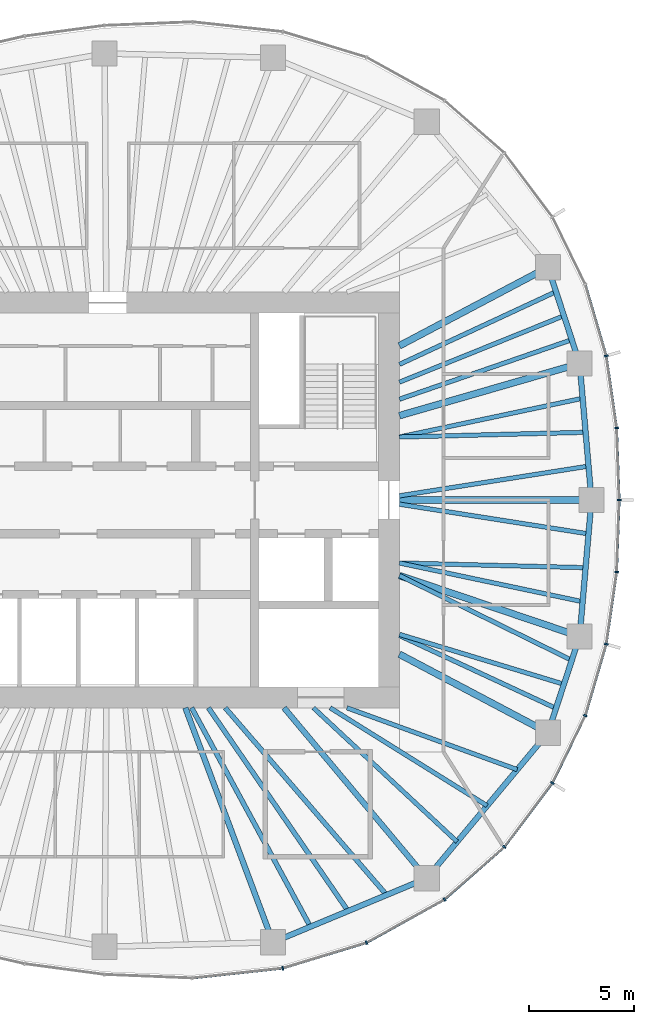
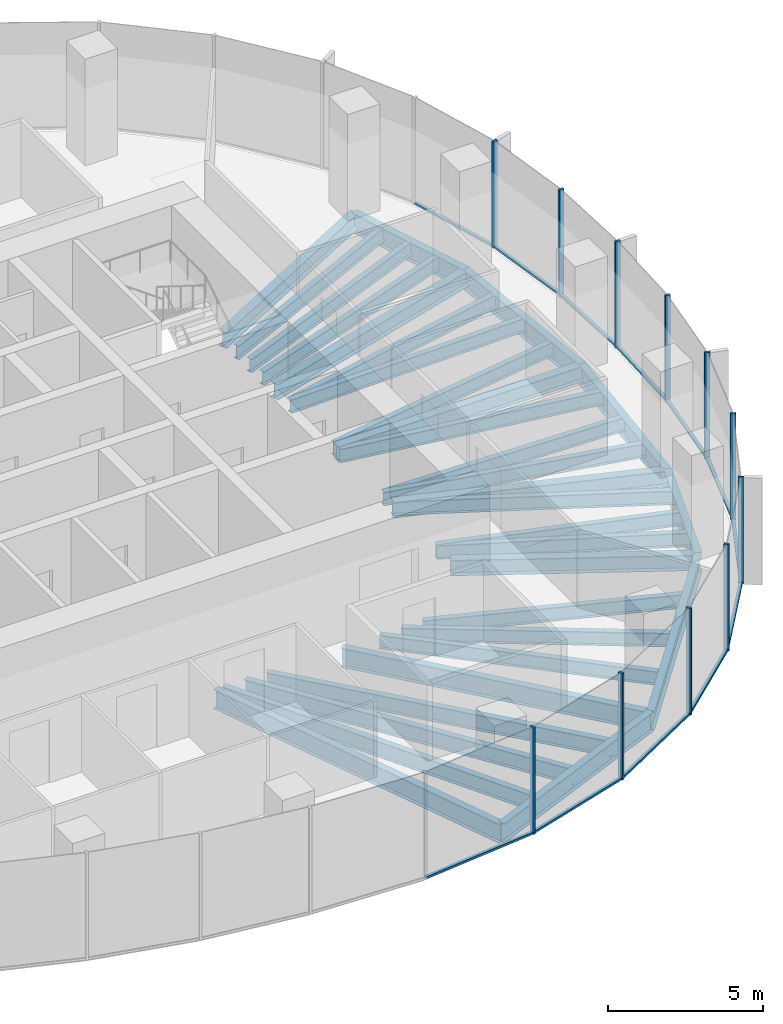
# One storey, part 4 of 11: 31 beams, 23 members, 7 elements without a shape of their own.
"""IFC4 building model written with IfcOpenShell, lengths in metres."""

from ifc_helpers import new_model, si_unit, direction, frame, origin, origin_2d, place, context, subcontext, project, spatial, rectangle, i_section, extrude, material, material_profile, profile_set, type_object, element, aggregate, save


model = new_model("IFC4")

# Units and contexts
model_context = context("Model", 3, precision=1e-05, world=origin(), true_north=direction((0.0, 1.0)))
body_context = subcontext(model_context, "Body", "Model", "MODEL_VIEW")
ifc_project = project(units=[si_unit("LENGTHUNIT", "METRE"), si_unit("AREAUNIT", "SQUARE_METRE"), si_unit("VOLUMEUNIT", "CUBIC_METRE"), si_unit("PLANEANGLEUNIT", "RADIAN"), si_unit("MASSUNIT", "GRAM", prefix="KILO")], contexts=[model_context])

# Site, building, storey
site_placement = place(None, origin())
site = spatial("IfcSite", under=ifc_project, at=site_placement, CompositionType="ELEMENT")
building_placement = place(site_placement, origin())
building = spatial("IfcBuilding", under=site, at=building_placement, Name="Ghaith Harvest Tower", CompositionType="ELEMENT")
storey_placement = place(building_placement, frame((0.0, 0.0, 275.39990234375)))
storey = spatial("IfcBuildingStorey", under=building, at=storey_placement, Name="L61", CompositionType="ELEMENT", Elevation=275.39990234375)

# Curtain wall, members
ifc_material_1 = material(Name="Black anodised aluminium and fritted glass", Category="aluminium")
curtain_wall_type = type_object("IfcCurtainWallType", Name="CW-T CURTAIN WALL", PredefinedType="NOTDEFINED", material=ifc_material_1)
curtain_wall_1_placement = place(storey_placement, origin())
curtain_wall_1 = element("IfcCurtainWall", 1, at=curtain_wall_1_placement, inside=storey, type_object=curtain_wall_type, Name="Curtain wall CW-T bay 01 L61", PredefinedType="NOTDEFINED")
ifc_material_2 = material(Name="Aluminium, black anodised", Category="aluminium")
ifc_material_profile_1 = material_profile(ifc_material_2, rectangle(XDim=0.080078125, YDim=0.179931640625, at=origin_2d()), Name="CW-T MULLION 80x180")
ifc_profile_set_1 = profile_set([ifc_material_profile_1], Name="Aluminium, black anodised")
member_type_1 = type_object("IfcMemberType", Name="CW-T MULLION 80x180", PredefinedType="MULLION", material=ifc_profile_set_1)
member_1_placement = place(storey_placement, frame((24.3701171875, 0.0, 0.0), z_axis=(0.0, 0.0, 1.0), x_axis=(5.2e-11, 1.0, 0.0)))
member_1 = element("IfcMember", 2, at=member_1_placement, type_object=member_type_1, Name="CW-T mullion 1 bay 01 L61", PredefinedType="MULLION", context=body_context, shape_type="SweptSolid", body=[
    extrude(rectangle(XDim=0.080078125, YDim=0.179931640625, at=origin_2d()), origin(), (0.0, 0.0, 1.0), 4.2001953125),
])
member_2_placement = place(storey_placement, frame((24.247802734375, 3.433837890625, 0.0), z_axis=(0.0, 0.0, 1.0), x_axis=(-0.089502202236, 0.995986624305, 0.0)))
member_2 = element("IfcMember", 3, at=member_2_placement, type_object=member_type_1, Name="CW-T mullion 2 bay 01 L61", PredefinedType="MULLION", context=body_context, shape_type="SweptSolid", body=[
    extrude(rectangle(XDim=0.080078125, YDim=0.179931640625, at=origin_2d()), origin(), (0.0, 0.0, 1.0), 4.2001953125),
])

# Curtain wall, member
curtain_wall_2_placement = place(storey_placement, origin())
curtain_wall_2 = element("IfcCurtainWall", 4, at=curtain_wall_2_placement, inside=storey, type_object=curtain_wall_type, Name="Curtain wall CW-T bay 02 L61", PredefinedType="NOTDEFINED")
member_3_placement = place(storey_placement, frame((23.753173828125, 6.865234375, 0.0), z_axis=(0.0, 0.0, 1.0), x_axis=(-0.21340203233, 0.976964468442, 0.0)))
member_3 = element("IfcMember", 5, at=member_3_placement, type_object=member_type_1, Name="CW-T mullion 1 bay 02 L61", PredefinedType="MULLION", context=body_context, shape_type="SweptSolid", body=[
    extrude(rectangle(XDim=0.080078125, YDim=0.179931640625, at=origin_2d()), origin(), (0.0, 0.0, 1.0), 4.2001953125),
])

# Curtain wall, members
curtain_wall_3_placement = place(storey_placement, origin())
curtain_wall_3 = element("IfcCurtainWall", 6, at=curtain_wall_3_placement, inside=storey, type_object=curtain_wall_type, Name="Curtain wall CW-T bay 17 L61", PredefinedType="NOTDEFINED")
member_4_placement = place(storey_placement, frame((8.33984375, -22.308837890625, 0.0), z_axis=(0.0, 0.0, 1.0), x_axis=(0.980000193265, 0.198996535647, 0.0)))
member_4 = element("IfcMember", 7, at=member_4_placement, type_object=member_type_1, Name="CW-T mullion 1 bay 17 L61", PredefinedType="MULLION", context=body_context, shape_type="SweptSolid", body=[
    extrude(rectangle(XDim=0.080078125, YDim=0.179931640625, at=origin_2d()), origin(), (0.0, 0.0, 1.0), 4.2001953125),
])
member_5_placement = place(storey_placement, frame((12.334228515625, -21.091796875, 0.0), z_axis=(0.0, 0.0, 1.0), x_axis=(0.920319269335, 0.391168048914, 0.0)))
member_5 = element("IfcMember", 8, at=member_5_placement, type_object=member_type_1, Name="CW-T mullion 2 bay 17 L61", PredefinedType="MULLION", context=body_context, shape_type="SweptSolid", body=[
    extrude(rectangle(XDim=0.080078125, YDim=0.179931640625, at=origin_2d()), origin(), (0.0, 0.0, 1.0), 4.2001953125),
])

curtain_wall_4_placement = place(storey_placement, origin())
curtain_wall_4 = element("IfcCurtainWall", 9, at=curtain_wall_4_placement, inside=storey, type_object=curtain_wall_type, Name="Curtain wall CW-T bay 18 L61", PredefinedType="NOTDEFINED")
member_6_placement = place(storey_placement, frame((16.04931640625, -19.031982421875, 0.0), z_axis=(0.0, 0.0, 1.0), x_axis=(0.821112053644, 0.570767023715, 0.0)))
member_6 = element("IfcMember", 10, at=member_6_placement, type_object=member_type_1, Name="CW-T mullion 1 bay 18 L61", PredefinedType="MULLION", context=body_context, shape_type="SweptSolid", body=[
    extrude(rectangle(XDim=0.080078125, YDim=0.179931640625, at=origin_2d()), origin(), (0.0, 0.0, 1.0), 4.2001953125),
])
member_7_placement = place(storey_placement, frame((18.901123046875, -16.527099609375, 0.0), z_axis=(0.0, 0.0, 1.0), x_axis=(0.679660897254, 0.733526458108, 0.0)))
member_7 = element("IfcMember", 11, at=member_7_placement, type_object=member_type_1, Name="CW-T mullion 2 bay 18 L61", PredefinedType="MULLION", context=body_context, shape_type="SweptSolid", body=[
    extrude(rectangle(XDim=0.080078125, YDim=0.179931640625, at=origin_2d()), origin(), (0.0, 0.0, 1.0), 4.2001953125),
])

curtain_wall_5_placement = place(storey_placement, origin())
curtain_wall_5 = element("IfcCurtainWall", 12, at=curtain_wall_5_placement, inside=storey, type_object=curtain_wall_type, Name="Curtain wall CW-T bay 19 L61", PredefinedType="NOTDEFINED")
member_8_placement = place(storey_placement, frame((21.18896484375, -13.48486328125, 0.0), z_axis=(0.0, 0.0, 1.0), x_axis=(0.524482238715, 0.85142138878, 0.0)))
member_8 = element("IfcMember", 13, at=member_8_placement, type_object=member_type_1, Name="CW-T mullion 1 bay 19 L61", PredefinedType="MULLION", context=body_context, shape_type="SweptSolid", body=[
    extrude(rectangle(XDim=0.080078125, YDim=0.179931640625, at=origin_2d()), origin(), (0.0, 0.0, 1.0), 4.2001953125),
])
member_9_placement = place(storey_placement, frame((22.754150390625, -10.272216796875, 0.0), z_axis=(0.0, 0.0, 1.0), x_axis=(0.361184273904, 0.932494461262, 0.0)))
member_9 = element("IfcMember", 14, at=member_9_placement, type_object=member_type_1, Name="CW-T mullion 2 bay 19 L61", PredefinedType="MULLION", context=body_context, shape_type="SweptSolid", body=[
    extrude(rectangle(XDim=0.080078125, YDim=0.179931640625, at=origin_2d()), origin(), (0.0, 0.0, 1.0), 4.2001953125),
])

curtain_wall_6_placement = place(storey_placement, origin())
curtain_wall_6 = element("IfcCurtainWall", 15, at=curtain_wall_6_placement, inside=storey, type_object=curtain_wall_type, Name="Curtain wall CW-T bay 20 L61", PredefinedType="NOTDEFINED")
member_10_placement = place(storey_placement, frame((23.753173828125, -6.865234375, 0.0), z_axis=(0.0, 0.0, 1.0), x_axis=(0.213402032501, 0.976964468404, 0.0)))
member_10 = element("IfcMember", 16, at=member_10_placement, type_object=member_type_1, Name="CW-T mullion 1 bay 20 L61", PredefinedType="MULLION", context=body_context, shape_type="SweptSolid", body=[
    extrude(rectangle(XDim=0.080078125, YDim=0.179931640625, at=origin_2d()), origin(), (0.0, 0.0, 1.0), 4.2001953125),
])
member_11_placement = place(storey_placement, frame((24.247802734375, -3.433837890625, 0.0), z_axis=(0.0, 0.0, 1.0), x_axis=(0.089502202305, 0.995986624299, 0.0)))
member_11 = element("IfcMember", 17, at=member_11_placement, type_object=member_type_1, Name="CW-T mullion 2 bay 20 L61", PredefinedType="MULLION", context=body_context, shape_type="SweptSolid", body=[
    extrude(rectangle(XDim=0.080078125, YDim=0.179931640625, at=origin_2d()), origin(), (0.0, 0.0, 1.0), 4.2001953125),
])

# Member
ifc_material_3 = material(Name="Aluminium, black anodised", Category="aluminium")
ifc_material_profile_2 = material_profile(ifc_material_3, rectangle(XDim=0.1201171875, YDim=0.080078125, at=origin_2d()), Name="CW-T TRANSOM 120x80")
ifc_profile_set_2 = profile_set([ifc_material_profile_2], Name="Aluminium, black anodised")
member_type_2 = type_object("IfcMemberType", Name="CW-T TRANSOM 120x80", PredefinedType="USERDEFINED", material=ifc_profile_set_2)
member_12_placement = place(storey_placement, frame((24.36865234375, 0.0400390625, 0.0400390625), z_axis=(-0.035574759537, 0.999367017909, 0.0), x_axis=(-0.999367017909, -0.035574759537, 0.0)))
member_12 = element("IfcMember", 18, at=member_12_placement, type_object=member_type_2, Name="CW-T transom 1 bay 01 L61", ObjectType="TRANSOM", PredefinedType="USERDEFINED", context=body_context, shape_type="SweptSolid", body=[
    extrude(rectangle(XDim=0.1201171875, YDim=0.080078125, at=origin_2d()), origin(), (0.0, 0.0, 1.0), 3.35595703125),
])

member_13_placement = place(storey_placement, frame((24.2421875, 3.473388671875, 0.0400390625), z_axis=(-0.142733224301, 0.989761196795, 0.0), x_axis=(-0.989761196795, -0.142733224301, 0.0)))
member_13 = element("IfcMember", 19, at=member_13_placement, type_object=member_type_2, Name="CW-T transom 2 bay 01 L61", ObjectType="TRANSOM", PredefinedType="USERDEFINED", context=body_context, shape_type="SweptSolid", body=[
    extrude(rectangle(XDim=0.1201171875, YDim=0.080078125, at=origin_2d()), origin(), (0.0, 0.0, 1.0), 3.38671875),
])

aggregate(curtain_wall_1, [member_1, member_12, member_2, member_13])

member_14_placement = place(storey_placement, frame((23.741943359375, 6.903564453125, 0.0400390625), z_axis=(-0.281385475469, 0.95959481772, 0.0), x_axis=(-0.95959481772, -0.281385475469, 0.0)))
member_14 = element("IfcMember", 20, at=member_14_placement, type_object=member_type_2, Name="CW-T transom 1 bay 02 L61", ObjectType="TRANSOM", PredefinedType="USERDEFINED", context=body_context, shape_type="SweptSolid", body=[
    extrude(rectangle(XDim=0.1201171875, YDim=0.080078125, at=origin_2d()), origin(), (0.0, 0.0, 1.0), 3.470458984375),
])

aggregate(curtain_wall_2, [member_3, member_14])

# Curtain wall, member
curtain_wall_7_placement = place(storey_placement, origin())
curtain_wall_7 = element("IfcCurtainWall", 21, at=curtain_wall_7_placement, inside=storey, type_object=curtain_wall_type, Name="Curtain wall CW-T bay 16 L61", PredefinedType="NOTDEFINED")
member_15_placement = place(storey_placement, frame((4.077392578125, -22.772216796875, 0.0400390625), z_axis=(0.994144463069, 0.108059180768, 0.0), x_axis=(-0.108059180768, 0.994144463069, 0.0)))
member_15 = element("IfcMember", 22, at=member_15_placement, type_object=member_type_2, Name="CW-T transom 2 bay 16 L61", ObjectType="TRANSOM", PredefinedType="USERDEFINED", context=body_context, shape_type="SweptSolid", body=[
    extrude(rectangle(XDim=0.1201171875, YDim=0.080078125, at=origin_2d()), origin(), (0.0, 0.0, 1.0), 4.24755859375),
])
aggregate(curtain_wall_7, [member_15])

# Member
member_16_placement = place(storey_placement, frame((8.378173828125, -22.297119140625, 0.0400390625), z_axis=(0.956593713342, 0.291424891858, 0.0), x_axis=(-0.291424891858, 0.956593713342, 0.0)))
member_16 = element("IfcMember", 23, at=member_16_placement, type_object=member_type_2, Name="CW-T transom 1 bay 17 L61", ObjectType="TRANSOM", PredefinedType="USERDEFINED", context=body_context, shape_type="SweptSolid", body=[
    extrude(rectangle(XDim=0.1201171875, YDim=0.080078125, at=origin_2d()), origin(), (0.0, 0.0, 1.0), 4.095703125),
])

member_17_placement = place(storey_placement, frame((12.369384765625, -21.072509765625, 0.0400390625), z_axis=(0.874552130553, 0.484931511603, 0.0), x_axis=(-0.484931511603, 0.874552130553, 0.0)))
member_17 = element("IfcMember", 24, at=member_17_placement, type_object=member_type_2, Name="CW-T transom 2 bay 17 L61", ObjectType="TRANSOM", PredefinedType="USERDEFINED", context=body_context, shape_type="SweptSolid", body=[
    extrude(rectangle(XDim=0.1201171875, YDim=0.080078125, at=origin_2d()), origin(), (0.0, 0.0, 1.0), 4.16748046875),
])

aggregate(curtain_wall_3, [member_4, member_16, member_5, member_17])

member_18_placement = place(storey_placement, frame((16.079345703125, -19.005615234375, 0.0400390625), z_axis=(0.751325799984, 0.659931467865, 0.0), x_axis=(-0.659931467865, 0.751325799984, 0.0)))
member_18 = element("IfcMember", 25, at=member_18_placement, type_object=member_type_2, Name="CW-T transom 1 bay 18 L61", ObjectType="TRANSOM", PredefinedType="USERDEFINED", context=body_context, shape_type="SweptSolid", body=[
    extrude(rectangle(XDim=0.1201171875, YDim=0.080078125, at=origin_2d()), origin(), (0.0, 0.0, 1.0), 3.7158203125),
])

member_19_placement = place(storey_placement, frame((18.925048828125, -16.4951171875, 0.0400390625), z_axis=(0.601079103045, 0.799189534392, 0.0), x_axis=(-0.799189534392, 0.601079103045, 0.0)))
member_19 = element("IfcMember", 26, at=member_19_placement, type_object=member_type_2, Name="CW-T transom 2 bay 18 L61", ObjectType="TRANSOM", PredefinedType="USERDEFINED", context=body_context, shape_type="SweptSolid", body=[
    extrude(rectangle(XDim=0.1201171875, YDim=0.080078125, at=origin_2d()), origin(), (0.0, 0.0, 1.0), 3.7265625),
])

aggregate(curtain_wall_4, [member_6, member_18, member_7, member_19])

member_20_placement = place(storey_placement, frame((21.20654296875, -13.448974609375, 0.0400390625), z_axis=(0.437965078712, 0.898991985408, 0.0), x_axis=(-0.898991985408, 0.437965078712, 0.0)))
member_20 = element("IfcMember", 27, at=member_20_placement, type_object=member_type_2, Name="CW-T transom 1 bay 19 L61", ObjectType="TRANSOM", PredefinedType="USERDEFINED", context=body_context, shape_type="SweptSolid", body=[
    extrude(rectangle(XDim=0.1201171875, YDim=0.080078125, at=origin_2d()), origin(), (0.0, 0.0, 1.0), 3.493408203125),
])

member_21_placement = place(storey_placement, frame((22.765380859375, -10.23388671875, 0.0400390625), z_axis=(0.281385475469, 0.95959481772, 0.0), x_axis=(-0.95959481772, 0.281385475469, 0.0)))
member_21 = element("IfcMember", 28, at=member_21_placement, type_object=member_type_2, Name="CW-T transom 2 bay 19 L61", ObjectType="TRANSOM", PredefinedType="USERDEFINED", context=body_context, shape_type="SweptSolid", body=[
    extrude(rectangle(XDim=0.1201171875, YDim=0.080078125, at=origin_2d()), origin(), (0.0, 0.0, 1.0), 3.470458984375),
])

aggregate(curtain_wall_5, [member_8, member_20, member_9, member_21])

member_22_placement = place(storey_placement, frame((23.7587890625, -6.825439453125, 0.0400390625), z_axis=(0.142733224301, 0.989761196795, 0.0), x_axis=(-0.989761196795, 0.142733224301, 0.0)))
member_22 = element("IfcMember", 29, at=member_22_placement, type_object=member_type_2, Name="CW-T transom 1 bay 20 L61", ObjectType="TRANSOM", PredefinedType="USERDEFINED", context=body_context, shape_type="SweptSolid", body=[
    extrude(rectangle(XDim=0.1201171875, YDim=0.080078125, at=origin_2d()), origin(), (0.0, 0.0, 1.0), 3.38671875),
])

member_23_placement = place(storey_placement, frame((24.249267578125, -3.393798828125, 0.0400390625), z_axis=(0.035574759537, 0.999367017909, 0.0), x_axis=(-0.999367017909, 0.035574759537, 0.0)))
member_23 = element("IfcMember", 30, at=member_23_placement, type_object=member_type_2, Name="CW-T transom 2 bay 20 L61", ObjectType="TRANSOM", PredefinedType="USERDEFINED", context=body_context, shape_type="SweptSolid", body=[
    extrude(rectangle(XDim=0.1201171875, YDim=0.080078125, at=origin_2d()), origin(), (0.0, 0.0, 1.0), 3.35595703125),
])

aggregate(curtain_wall_6, [member_10, member_22, member_11, member_23])

# Beams
ifc_material_4 = material(Name="Steel ASTM A992 Grade 50", Category="steel")
ifc_material_profile_3 = material_profile(ifc_material_4, i_section(OverallWidth=0.26611328125, OverallDepth=0.758056640625, WebThickness=0.013916015625, FlangeThickness=0.019287109375, at=origin_2d()), Name="W760X161")
ifc_profile_set_3 = profile_set([ifc_material_profile_3], Name="Steel ASTM A992 Grade 50")
beam_type_1 = type_object("IfcBeamType", Name="E760-161 W760X161", PredefinedType="SPANDREL", material=ifc_profile_set_3)
beam_1_placement = place(storey_placement, frame((23.050048828125, 0.0, -0.548828125), z_axis=(-0.086600547306, 0.996243115513, 0.0), x_axis=(-0.996243115513, -0.086600547306, 0.0)))
element("IfcBeam", 31, at=beam_1_placement, inside=storey, type_object=beam_type_1, Name="Edge beam E01 L61", PredefinedType="SPANDREL", context=body_context, shape_type="SweptSolid", body=[
    extrude(i_section(OverallWidth=0.26611328125, OverallDepth=0.758056640625, WebThickness=0.013916015625, FlangeThickness=0.019287109375, at=origin_2d()), origin(), (0.0, 0.0, 1.0), 6.5234375),
])
beam_2_placement = place(storey_placement, frame((22.485107421875, 6.4990234375, -0.548828125), z_axis=(-0.312206727278, 0.950014189074, 0.0), x_axis=(-0.950014189074, -0.312206727278, 0.0)))
element("IfcBeam", 32, at=beam_2_placement, inside=storey, type_object=beam_type_1, Name="Edge beam E02 L61", PredefinedType="SPANDREL", context=body_context, shape_type="SweptSolid", body=[
    extrude(i_section(OverallWidth=0.26611328125, OverallDepth=0.758056640625, WebThickness=0.013916015625, FlangeThickness=0.019287109375, at=origin_2d()), origin(), (0.0, 0.0, 1.0), 4.830322265625),
])
beam_3_placement = place(storey_placement, frame((7.8779296875, -21.072021484375, -0.548828125), z_axis=(0.923119729219, 0.384512633766, 0.0), x_axis=(-0.384512633766, 0.923119729219, 0.0)))
element("IfcBeam", 33, at=beam_3_placement, inside=storey, type_object=beam_type_1, Name="Edge beam E17 L61", PredefinedType="SPANDREL", context=body_context, shape_type="SweptSolid", body=[
    extrude(i_section(OverallWidth=0.26611328125, OverallDepth=0.758056640625, WebThickness=0.013916015625, FlangeThickness=0.019287109375, at=origin_2d()), origin(), (0.0, 0.0, 1.0), 7.9296875),
])
beam_4_placement = place(storey_placement, frame((15.197998046875, -18.02294921875, -0.548828125), z_axis=(0.640173759088, 0.76823014662, 0.0), x_axis=(-0.76823014662, 0.640173759088, 0.0)))
element("IfcBeam", 34, at=beam_4_placement, inside=storey, type_object=beam_type_1, Name="Edge beam E18 L61", PredefinedType="SPANDREL", context=body_context, shape_type="SweptSolid", body=[
    extrude(i_section(OverallWidth=0.26611328125, OverallDepth=0.758056640625, WebThickness=0.013916015625, FlangeThickness=0.019287109375, at=origin_2d()), origin(), (0.0, 0.0, 1.0), 9.02734375),
])
beam_5_placement = place(storey_placement, frame((20.97705078125, -11.087890625, -0.548828125), z_axis=(0.312206727278, 0.950014189074, 0.0), x_axis=(-0.950014189074, 0.312206727278, 0.0)))
element("IfcBeam", 35, at=beam_5_placement, inside=storey, type_object=beam_type_1, Name="Edge beam E19 L61", PredefinedType="SPANDREL", context=body_context, shape_type="SweptSolid", body=[
    extrude(i_section(OverallWidth=0.26611328125, OverallDepth=0.758056640625, WebThickness=0.013916015625, FlangeThickness=0.019287109375, at=origin_2d()), origin(), (0.0, 0.0, 1.0), 4.830322265625),
])
beam_6_placement = place(storey_placement, frame((22.485107421875, -6.4990234375, -0.548828125), z_axis=(0.086600547306, 0.996243115513, 0.0), x_axis=(-0.996243115513, 0.086600547306, 0.0)))
element("IfcBeam", 36, at=beam_6_placement, inside=storey, type_object=beam_type_1, Name="Edge beam E20 L61", PredefinedType="SPANDREL", context=body_context, shape_type="SweptSolid", body=[
    extrude(i_section(OverallWidth=0.26611328125, OverallDepth=0.758056640625, WebThickness=0.013916015625, FlangeThickness=0.019287109375, at=origin_2d()), origin(), (0.0, 0.0, 1.0), 6.5234375),
])
ifc_material_5 = material(Name="Steel ASTM A992 Grade 50", Category="steel")
ifc_material_profile_4 = material_profile(ifc_material_5, i_section(OverallWidth=0.323974609375, OverallDepth=0.611083984375, WebThickness=0.0126953125, FlangeThickness=0.01904296875, at=origin_2d()), Name="W610X155")
ifc_profile_set_4 = profile_set([ifc_material_profile_4], Name="Steel ASTM A992 Grade 50")
beam_type_2 = type_object("IfcBeamType", Name="G610-155 W610X155", PredefinedType="BEAM", material=ifc_profile_set_4)
beam_7_placement = place(storey_placement, frame((13.89990234375, 0.0, -0.475341796875), z_axis=(1.0, 0.0, 0.0), x_axis=(0.0, 1.0, 0.0)))
element("IfcBeam", 37, at=beam_7_placement, inside=storey, type_object=beam_type_2, Name="Radial girder G01 L61", PredefinedType="BEAM", context=body_context, shape_type="SweptSolid", body=[
    extrude(i_section(OverallWidth=0.323974609375, OverallDepth=0.611083984375, WebThickness=0.0126953125, FlangeThickness=0.01904296875, at=origin_2d()), origin(), (0.0, 0.0, 1.0), 9.150146484375),
])
beam_8_placement = place(storey_placement, frame((13.89990234375, 4.017333984375, -0.475341796875), z_axis=(0.960668846071, 0.27769653975, 0.0), x_axis=(-0.27769653975, 0.960668846071, 0.0)))
element("IfcBeam", 38, at=beam_8_placement, inside=storey, type_object=beam_type_2, Name="Radial girder G02 L61", PredefinedType="BEAM", context=body_context, shape_type="SweptSolid", body=[
    extrude(i_section(OverallWidth=0.323974609375, OverallDepth=0.611083984375, WebThickness=0.0126953125, FlangeThickness=0.01904296875, at=origin_2d()), origin(), (0.0, 0.0, 1.0), 8.936767578125),
])
for number, where, z_axis, x_axis, name in (
    (39, (13.89990234375, 7.34716796875, -0.475341796875), (0.884097820364, 0.467301876764, 0.0), (-0.467301876764, 0.884097820364, 0.0), "Radial girder G03 L61"),
    (40, (13.89990234375, -7.34716796875, -0.475341796875), (0.884097820364, -0.467301876764, 0.0), (0.467301876764, 0.884097820364, 0.0), "Radial girder G19 L61"),
):
    element("IfcBeam", number, at=place(storey_placement, frame(where, z_axis=z_axis, x_axis=x_axis)), inside=storey, type_object=beam_type_2, Name=name, PredefinedType="BEAM", context=body_context, shape_type="SweptSolid", body=[
        extrude(i_section(OverallWidth=0.323974609375, OverallDepth=0.611083984375, WebThickness=0.0126953125, FlangeThickness=0.01904296875, at=origin_2d()), origin(), (0.0, 0.0, 1.0), 8.0048828125),
    ])
beam_9_placement = place(storey_placement, frame((13.89990234375, -3.60009765625, -0.475341796875), z_axis=(0.947444819082, -0.319919231673, 0.0), x_axis=(0.319919231673, 0.947444819082, 0.0)))
element("IfcBeam", 41, at=beam_9_placement, inside=storey, type_object=beam_type_2, Name="Radial girder G20 L61", PredefinedType="BEAM", context=body_context, shape_type="SweptSolid", body=[
    extrude(i_section(OverallWidth=0.323974609375, OverallDepth=0.611083984375, WebThickness=0.0126953125, FlangeThickness=0.01904296875, at=origin_2d()), origin(), (0.0, 0.0, 1.0), 9.0615234375),
])
ifc_material_6 = material(Name="Steel ASTM A992 Grade 50", Category="steel")
ifc_material_profile_5 = material_profile(ifc_material_6, i_section(OverallWidth=0.26611328125, OverallDepth=0.758056640625, WebThickness=0.013916015625, FlangeThickness=0.019287109375, at=origin_2d()), Name="W760X161")
ifc_profile_set_5 = profile_set([ifc_material_profile_5], Name="Steel ASTM A992 Grade 50")
beam_type_3 = type_object("IfcBeamType", Name="G760-161 W760X161", PredefinedType="BEAM", material=ifc_profile_set_5)
beam_10_placement = place(storey_placement, frame((3.700927734375, -9.89990234375, -0.548828125), z_axis=(0.350201332531, -0.936674450753, 0.0), x_axis=(0.936674450753, 0.350201332531, 0.0)))
element("IfcBeam", 42, at=beam_10_placement, inside=storey, type_object=beam_type_3, Name="Radial girder G17 L61", PredefinedType="BEAM", context=body_context, shape_type="SweptSolid", body=[
    extrude(i_section(OverallWidth=0.26611328125, OverallDepth=0.758056640625, WebThickness=0.013916015625, FlangeThickness=0.019287109375, at=origin_2d()), origin(), (0.0, 0.0, 1.0), 11.927490234375),
])
beam_11_placement = place(storey_placement, frame((8.39990234375, -9.89990234375, -0.548828125), z_axis=(0.641792628883, -0.766878231215, 0.0), x_axis=(0.766878231215, 0.641792628883, 0.0)))
element("IfcBeam", 43, at=beam_11_placement, inside=storey, type_object=beam_type_3, Name="Radial girder G18 L61", PredefinedType="BEAM", context=body_context, shape_type="SweptSolid", body=[
    extrude(i_section(OverallWidth=0.26611328125, OverallDepth=0.758056640625, WebThickness=0.013916015625, FlangeThickness=0.019287109375, at=origin_2d()), origin(), (0.0, 0.0, 1.0), 10.59228515625),
])
ifc_material_7 = material(Name="Steel ASTM A992 Grade 50", Category="steel")
ifc_material_profile_6 = material_profile(ifc_material_7, i_section(OverallWidth=0.2109375, OverallDepth=0.5390625, WebThickness=0.01171875, FlangeThickness=0.018798828125, at=origin_2d()), Name="W530X109")
ifc_profile_set_6 = profile_set([ifc_material_profile_6], Name="Steel ASTM A992 Grade 50")
beam_type_4 = type_object("IfcBeamType", Name="J530-109 W530X109", PredefinedType="JOIST", material=ifc_profile_set_6)
beam_12_placement = place(storey_placement, frame((13.89990234375, 0.199951171875, -0.439453125), z_axis=(0.987906665526, 0.155049734628, 0.0), x_axis=(-0.155049734628, 0.987906665526, 0.0)))
element("IfcBeam", 44, at=beam_12_placement, inside=storey, type_object=beam_type_4, Name="Joist J01.1 L61", PredefinedType="JOIST", context=body_context, shape_type="SweptSolid", body=[
    extrude(i_section(OverallWidth=0.2109375, OverallDepth=0.5390625, WebThickness=0.01171875, FlangeThickness=0.018798828125, at=origin_2d()), origin(), (0.0, 0.0, 1.0), 9.1201171875),
])
beam_13_placement = place(storey_placement, frame((13.89990234375, 3.0, -0.439453125), z_axis=(0.999679533859, 0.025314612071, 0.0), x_axis=(-0.025314612071, 0.999679533859, 0.0)))
element("IfcBeam", 45, at=beam_13_placement, inside=storey, type_object=beam_type_4, Name="Joist J01.2 L61", PredefinedType="JOIST", context=body_context, shape_type="SweptSolid", body=[
    extrude(i_section(OverallWidth=0.2109375, OverallDepth=0.5390625, WebThickness=0.01171875, FlangeThickness=0.018798828125, at=origin_2d()), origin(), (0.0, 0.0, 1.0), 8.872802734375),
])
beam_14_placement = place(storey_placement, frame((13.89990234375, 3.0, -0.439453125), z_axis=(0.97833382446, 0.207033639579, 0.0), x_axis=(-0.207033639579, 0.97833382446, 0.0)))
element("IfcBeam", 46, at=beam_14_placement, inside=storey, type_object=beam_type_4, Name="Joist J01.3 L61", PredefinedType="JOIST", context=body_context, shape_type="SweptSolid", body=[
    extrude(i_section(OverallWidth=0.2109375, OverallDepth=0.5390625, WebThickness=0.01171875, FlangeThickness=0.018798828125, at=origin_2d()), origin(), (0.0, 0.0, 1.0), 8.922119140625),
])
beam_15_placement = place(storey_placement, frame((13.89990234375, 4.801025390625, -0.439453125), z_axis=(0.945204712775, 0.326478254937, 0.0), x_axis=(-0.326478254937, 0.945204712775, 0.0)))
element("IfcBeam", 47, at=beam_15_placement, inside=storey, type_object=beam_type_4, Name="Joist J02.1 L61", PredefinedType="JOIST", context=body_context, shape_type="SweptSolid", body=[
    extrude(i_section(OverallWidth=0.2109375, OverallDepth=0.5390625, WebThickness=0.01171875, FlangeThickness=0.018798828125, at=origin_2d()), origin(), (0.0, 0.0, 1.0), 8.687255859375),
])
beam_16_placement = place(storey_placement, frame((13.89990234375, 5.61328125, -0.439453125), z_axis=(0.927254375113, 0.374432001615, 0.0), x_axis=(-0.374432001615, 0.927254375113, 0.0)))
element("IfcBeam", 48, at=beam_16_placement, inside=storey, type_object=beam_type_4, Name="Joist J02.2 L61", PredefinedType="JOIST", context=body_context, shape_type="SweptSolid", body=[
    extrude(i_section(OverallWidth=0.2109375, OverallDepth=0.5390625, WebThickness=0.01171875, FlangeThickness=0.018798828125, at=origin_2d()), origin(), (0.0, 0.0, 1.0), 8.450927734375),
])
beam_17_placement = place(storey_placement, frame((13.89990234375, 6.45947265625, -0.439453125), z_axis=(0.906859906661, 0.42143221245, 0.0), x_axis=(-0.42143221245, 0.906859906661, 0.0)))
element("IfcBeam", 49, at=beam_17_placement, inside=storey, type_object=beam_type_4, Name="Joist J02.3 L61", PredefinedType="JOIST", context=body_context, shape_type="SweptSolid", body=[
    extrude(i_section(OverallWidth=0.2109375, OverallDepth=0.5390625, WebThickness=0.01171875, FlangeThickness=0.018798828125, at=origin_2d()), origin(), (0.0, 0.0, 1.0), 8.22509765625),
])
beam_18_placement = place(storey_placement, frame((9.800048828125, -9.89990234375, -0.439453125), z_axis=(0.73164904944, -0.681681500742, 0.0), x_axis=(0.681681500742, 0.73164904944, 0.0)))
element("IfcBeam", 50, at=beam_18_placement, inside=storey, type_object=beam_type_4, Name="Joist J18.1 L61", PredefinedType="JOIST", context=body_context, shape_type="SweptSolid", body=[
    extrude(i_section(OverallWidth=0.2109375, OverallDepth=0.5390625, WebThickness=0.01171875, FlangeThickness=0.018798828125, at=origin_2d()), origin(), (0.0, 0.0, 1.0), 9.361572265625),
])
beam_19_placement = place(storey_placement, frame((10.60009765625, -9.89990234375, -0.439453125), z_axis=(0.84837619421, -0.52939383553, 0.0), x_axis=(0.52939383553, 0.84837619421, 0.0)))
element("IfcBeam", 51, at=beam_19_placement, inside=storey, type_object=beam_type_4, Name="Joist J18.2 L61", PredefinedType="JOIST", context=body_context, shape_type="SweptSolid", body=[
    extrude(i_section(OverallWidth=0.2109375, OverallDepth=0.5390625, WebThickness=0.01171875, FlangeThickness=0.018798828125, at=origin_2d()), origin(), (0.0, 0.0, 1.0), 8.814697265625),
])
beam_20_placement = place(storey_placement, frame((11.39990234375, -9.89990234375, -0.439453125), z_axis=(0.939925501564, -0.341379629605, 0.0), x_axis=(0.341379629605, 0.939925501564, 0.0)))
element("IfcBeam", 52, at=beam_20_placement, inside=storey, type_object=beam_type_4, Name="Joist J18.3 L61", PredefinedType="JOIST", context=body_context, shape_type="SweptSolid", body=[
    extrude(i_section(OverallWidth=0.2109375, OverallDepth=0.5390625, WebThickness=0.01171875, FlangeThickness=0.018798828125, at=origin_2d()), origin(), (0.0, 0.0, 1.0), 8.630615234375),
])
beam_21_placement = place(storey_placement, frame((13.89990234375, -6.45947265625, -0.439453125), z_axis=(0.906859906661, -0.42143221245, 0.0), x_axis=(0.42143221245, 0.906859906661, 0.0)))
element("IfcBeam", 53, at=beam_21_placement, inside=storey, type_object=beam_type_4, Name="Joist J19.1 L61", PredefinedType="JOIST", context=body_context, shape_type="SweptSolid", body=[
    extrude(i_section(OverallWidth=0.2109375, OverallDepth=0.5390625, WebThickness=0.01171875, FlangeThickness=0.018798828125, at=origin_2d()), origin(), (0.0, 0.0, 1.0), 8.22509765625),
])
beam_22_placement = place(storey_placement, frame((13.89990234375, -6.39990234375, -0.439453125), z_axis=(0.9569197823, -0.290352424208, 0.0), x_axis=(0.290352424208, 0.9569197823, 0.0)))
element("IfcBeam", 54, at=beam_22_placement, inside=storey, type_object=beam_type_4, Name="Joist J19.2 L61", PredefinedType="JOIST", context=body_context, shape_type="SweptSolid", body=[
    extrude(i_section(OverallWidth=0.2109375, OverallDepth=0.5390625, WebThickness=0.01171875, FlangeThickness=0.018798828125, at=origin_2d()), origin(), (0.0, 0.0, 1.0), 8.18896484375),
])
beam_23_placement = place(storey_placement, frame((13.89990234375, -3.60009765625, -0.439453125), z_axis=(0.89740088778, -0.441216099674, 0.0), x_axis=(0.441216099674, 0.89740088778, 0.0)))
element("IfcBeam", 55, at=beam_23_placement, inside=storey, type_object=beam_type_4, Name="Joist J19.3 L61", PredefinedType="JOIST", context=body_context, shape_type="SweptSolid", body=[
    extrude(i_section(OverallWidth=0.2109375, OverallDepth=0.5390625, WebThickness=0.01171875, FlangeThickness=0.018798828125, at=origin_2d()), origin(), (0.0, 0.0, 1.0), 9.14990234375),
])
beam_24_placement = place(storey_placement, frame((13.89990234375, -3.0, -0.439453125), z_axis=(0.97833382446, -0.207033639579, 0.0), x_axis=(0.207033639579, 0.97833382446, 0.0)))
element("IfcBeam", 56, at=beam_24_placement, inside=storey, type_object=beam_type_4, Name="Joist J20.1 L61", PredefinedType="JOIST", context=body_context, shape_type="SweptSolid", body=[
    extrude(i_section(OverallWidth=0.2109375, OverallDepth=0.5390625, WebThickness=0.01171875, FlangeThickness=0.018798828125, at=origin_2d()), origin(), (0.0, 0.0, 1.0), 8.922119140625),
])
beam_25_placement = place(storey_placement, frame((13.89990234375, -3.0, -0.439453125), z_axis=(0.999679533859, -0.025314612071, 0.0), x_axis=(0.025314612071, 0.999679533859, 0.0)))
element("IfcBeam", 57, at=beam_25_placement, inside=storey, type_object=beam_type_4, Name="Joist J20.2 L61", PredefinedType="JOIST", context=body_context, shape_type="SweptSolid", body=[
    extrude(i_section(OverallWidth=0.2109375, OverallDepth=0.5390625, WebThickness=0.01171875, FlangeThickness=0.018798828125, at=origin_2d()), origin(), (0.0, 0.0, 1.0), 8.872802734375),
])
beam_26_placement = place(storey_placement, frame((13.89990234375, -0.199951171875, -0.439453125), z_axis=(0.987906665526, -0.155049734628, 0.0), x_axis=(0.155049734628, 0.987906665526, 0.0)))
element("IfcBeam", 58, at=beam_26_placement, inside=storey, type_object=beam_type_4, Name="Joist J20.3 L61", PredefinedType="JOIST", context=body_context, shape_type="SweptSolid", body=[
    extrude(i_section(OverallWidth=0.2109375, OverallDepth=0.5390625, WebThickness=0.01171875, FlangeThickness=0.018798828125, at=origin_2d()), origin(), (0.0, 0.0, 1.0), 9.1201171875),
])
ifc_material_8 = material(Name="Steel ASTM A992 Grade 50", Category="steel")
ifc_material_profile_7 = material_profile(ifc_material_8, i_section(OverallWidth=0.22998046875, OverallDepth=0.616943359375, WebThickness=0.01318359375, FlangeThickness=0.022216796875, at=origin_2d()), Name="W610X140")
ifc_profile_set_7 = profile_set([ifc_material_profile_7], Name="Steel ASTM A992 Grade 50")
beam_type_5 = type_object("IfcBeamType", Name="J610-140 W610X140", PredefinedType="JOIST", material=ifc_profile_set_7)
beam_27_placement = place(storey_placement, frame((4.0, -9.89990234375, -0.478515625), z_axis=(0.476764926531, -0.879030832696, 0.0), x_axis=(0.879030832696, 0.476764926531, 0.0)))
element("IfcBeam", 59, at=beam_27_placement, inside=storey, type_object=beam_type_5, Name="Joist J17.1 L61", PredefinedType="JOIST", context=body_context, shape_type="SweptSolid", body=[
    extrude(i_section(OverallWidth=0.22998046875, OverallDepth=0.616943359375, WebThickness=0.01318359375, FlangeThickness=0.022216796875, at=origin_2d()), origin(), (0.0, 0.0, 1.0), 11.866455078125),
])
beam_28_placement = place(storey_placement, frame((4.800048828125, -9.89990234375, -0.478515625), z_axis=(0.566228035119, -0.824248634967, 0.0), x_axis=(0.824248634967, 0.566228035119, 0.0)))
element("IfcBeam", 60, at=beam_28_placement, inside=storey, type_object=beam_type_5, Name="Joist J17.2 L61", PredefinedType="JOIST", context=body_context, shape_type="SweptSolid", body=[
    extrude(i_section(OverallWidth=0.22998046875, OverallDepth=0.616943359375, WebThickness=0.01318359375, FlangeThickness=0.022216796875, at=origin_2d()), origin(), (0.0, 0.0, 1.0), 11.748046875),
])
beam_29_placement = place(storey_placement, frame((5.60009765625, -9.89990234375, -0.478515625), z_axis=(0.652992938501, -0.757363995888, 0.0), x_axis=(0.757363995888, 0.652992938501, 0.0)))
element("IfcBeam", 61, at=beam_29_placement, inside=storey, type_object=beam_type_5, Name="Joist J17.3 L61", PredefinedType="JOIST", context=body_context, shape_type="SweptSolid", body=[
    extrude(i_section(OverallWidth=0.22998046875, OverallDepth=0.616943359375, WebThickness=0.01318359375, FlangeThickness=0.022216796875, at=origin_2d()), origin(), (0.0, 0.0, 1.0), 11.775390625),
])

save(model, "model.ifc")
